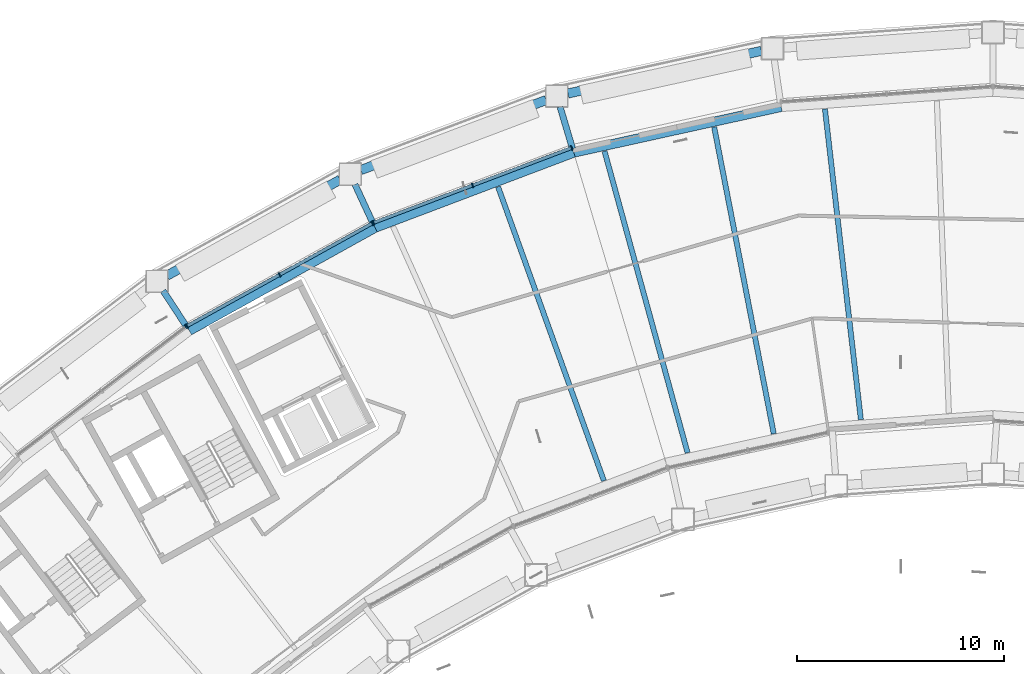
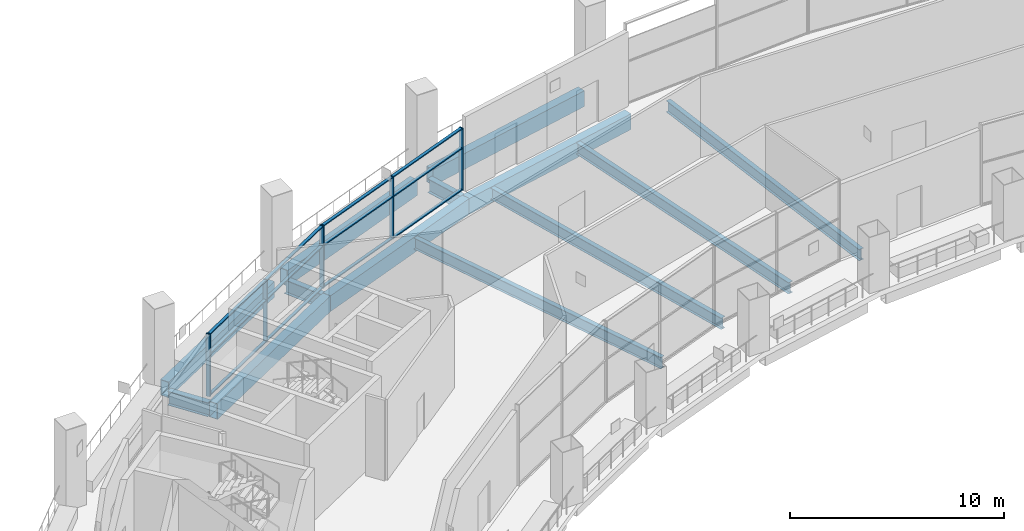
# One storey, part 5 of 28: 19 members, 13 beams, 3 elements without a shape of their own.
"""IFC4 building model written with IfcOpenShell, lengths in metres."""

from ifc_helpers import new_model, si_unit, direction, frame, origin, origin_2d, place, context, subcontext, project, spatial, rectangle, hollow_rectangle, i_section, extrude, material, layer, layer_set, material_profile, profile_set, type_object, element, aggregate, save


model = new_model("IFC4")

# Units and contexts
model_context = context("Model", 3, precision=1e-05, world=origin(), true_north=direction((0.0, 1.0)))
body_context = subcontext(model_context, "Body", "Model", "MODEL_VIEW")
ifc_project = project(units=[si_unit("LENGTHUNIT", "METRE"), si_unit("AREAUNIT", "SQUARE_METRE"), si_unit("VOLUMEUNIT", "CUBIC_METRE"), si_unit("PLANEANGLEUNIT", "RADIAN"), si_unit("MASSUNIT", "GRAM", prefix="KILO")], contexts=[model_context])

# Site, building, storey
site_placement = place(None, origin())
site = spatial("IfcSite", under=ifc_project, at=site_placement, CompositionType="ELEMENT")
building_placement = place(site_placement, origin())
building = spatial("IfcBuilding", under=site, at=building_placement, Name="Tuul Gate Civic Tower", CompositionType="ELEMENT")
storey_placement = place(building_placement, frame((0.0, 0.0, 128.699951171875)))
storey = spatial("IfcBuildingStorey", under=building, at=storey_placement, Name="Sky garden level 1", CompositionType="ELEMENT", Elevation=128.699951171875)

# Curtain wall, members
ifc_material_1 = material(Name="Aluminium", Category="aluminium")
ifc_layer = layer(ifc_material_1, 0.199951171875)
ifc_layer_set = layer_set([ifc_layer], Name="Aluminium")
curtain_wall_type = type_object("IfcCurtainWallType", Name="Curtain wall CW3A", PredefinedType="NOTDEFINED", material=ifc_layer_set)
curtain_wall_1_placement = place(storey_placement, origin())
curtain_wall_1 = element("IfcCurtainWall", 1, at=curtain_wall_1_placement, inside=storey, type_object=curtain_wall_type, Name="Curtain wall CW3A", PredefinedType="NOTDEFINED")
ifc_material_2 = material(Name="Aluminium", Category="aluminium")
ifc_material_profile_1 = material_profile(ifc_material_2, rectangle(XDim=0.219970703125, YDim=0.06005859375, at=origin_2d()), Name="CW3A mullion")
ifc_profile_set_1 = profile_set([ifc_material_profile_1], Name="Aluminium")
member_type_1 = type_object("IfcMemberType", Name="CW3A mullion", PredefinedType="MULLION", material=ifc_profile_set_1)
member_1_placement = place(storey_placement, frame((-10.531982421875, 8.107421875, 0.0), z_axis=(0.0, 0.0, 1.0), x_axis=(0.353664862395, -0.935372206722, 0.0)))
member_1 = element("IfcMember", 2, at=member_1_placement, type_object=member_type_1, Name="Mullion", PredefinedType="MULLION", context=body_context, shape_type="SweptSolid", body=[
    extrude(rectangle(XDim=0.219970703125, YDim=0.06005859375, at=origin_2d()), origin(), (0.0, 0.0, 1.0), 3.545166015625),
])
member_2_placement = place(storey_placement, frame((-15.321533203125, 6.29638671875, 0.0), z_axis=(0.0, 0.0, 1.0), x_axis=(0.353664862395, -0.935372206722, 0.0)))
member_2 = element("IfcMember", 3, at=member_2_placement, type_object=member_type_1, Name="Mullion", PredefinedType="MULLION", context=body_context, shape_type="SweptSolid", body=[
    extrude(rectangle(XDim=0.219970703125, YDim=0.06005859375, at=origin_2d()), origin(), (0.0, 0.0, 1.0), 3.545166015625),
])
member_3_placement = place(storey_placement, frame((-20.11083984375, 4.485595703125, 0.0), z_axis=(0.0, 0.0, 1.0), x_axis=(0.353664862395, -0.935372206722, 0.0)))
member_3 = element("IfcMember", 4, at=member_3_placement, type_object=member_type_1, Name="Mullion", PredefinedType="MULLION", context=body_context, shape_type="SweptSolid", body=[
    extrude(rectangle(XDim=0.219970703125, YDim=0.06005859375, at=origin_2d()), origin(), (0.0, 0.0, 1.0), 3.545166015625),
])

curtain_wall_2_placement = place(storey_placement, origin())
curtain_wall_2 = element("IfcCurtainWall", 5, at=curtain_wall_2_placement, inside=storey, type_object=curtain_wall_type, Name="Curtain wall CW3A", PredefinedType="NOTDEFINED")
member_4_placement = place(storey_placement, frame((-20.165283203125, 4.46044921875, 0.0), z_axis=(0.0, 0.0, 1.0), x_axis=(0.484826682646, -0.874610249079, 0.0)))
member_4 = element("IfcMember", 6, at=member_4_placement, type_object=member_type_1, Name="Mullion", PredefinedType="MULLION", context=body_context, shape_type="SweptSolid", body=[
    extrude(rectangle(XDim=0.219970703125, YDim=0.06005859375, at=origin_2d()), origin(), (0.0, 0.0, 1.0), 3.545166015625),
])
member_5_placement = place(storey_placement, frame((-24.6435546875, 1.97802734375, 0.0), z_axis=(0.0, 0.0, 1.0), x_axis=(0.484826682646, -0.874610249079, 0.0)))
member_5 = element("IfcMember", 7, at=member_5_placement, type_object=member_type_1, Name="Mullion", PredefinedType="MULLION", context=body_context, shape_type="SweptSolid", body=[
    extrude(rectangle(XDim=0.219970703125, YDim=0.06005859375, at=origin_2d()), origin(), (0.0, 0.0, 1.0), 3.545166015625),
])
member_6_placement = place(storey_placement, frame((-29.121826171875, -0.50439453125, 0.0), z_axis=(0.0, 0.0, 1.0), x_axis=(0.484826682646, -0.874610249079, 0.0)))
member_6 = element("IfcMember", 8, at=member_6_placement, type_object=member_type_1, Name="Mullion", PredefinedType="MULLION", context=body_context, shape_type="SweptSolid", body=[
    extrude(rectangle(XDim=0.219970703125, YDim=0.06005859375, at=origin_2d()), origin(), (0.0, 0.0, 1.0), 3.545166015625),
])

# Curtain wall, member
curtain_wall_3_placement = place(storey_placement, origin())
curtain_wall_3 = element("IfcCurtainWall", 9, at=curtain_wall_3_placement, inside=storey, type_object=curtain_wall_type, Name="Curtain wall CW3A", PredefinedType="NOTDEFINED")
member_7_placement = place(storey_placement, frame((-29.171875, -0.537109375, 0.0), z_axis=(0.0, 0.0, 1.0), x_axis=(0.60576239149, -0.795645602675, 0.0)))
member_7 = element("IfcMember", 10, at=member_7_placement, type_object=member_type_1, Name="Mullion", PredefinedType="MULLION", context=body_context, shape_type="SweptSolid", body=[
    extrude(rectangle(XDim=0.219970703125, YDim=0.06005859375, at=origin_2d()), origin(), (0.0, 0.0, 1.0), 3.545166015625),
])
aggregate(curtain_wall_3, [member_7])

# Member
ifc_material_3 = material(Name="Aluminium", Category="aluminium")
ifc_material_profile_2 = material_profile(ifc_material_3, rectangle(XDim=0.159912109375, YDim=0.06005859375, at=origin_2d()), Name="CW3A transom")
ifc_profile_set_2 = profile_set([ifc_material_profile_2], Name="Aluminium")
member_type_2 = type_object("IfcMemberType", Name="CW3A transom", PredefinedType="USERDEFINED", material=ifc_profile_set_2)
member_8_placement = place(storey_placement, frame((-10.56005859375, 8.0966796875, 0.030029296875), z_axis=(-0.935382035791, -0.353638865398, 0.0), x_axis=(0.353638865398, -0.935382035791, 0.0)))
member_8 = element("IfcMember", 11, at=member_8_placement, type_object=member_type_2, Name="Transom", ObjectType="TRANSOM", PredefinedType="USERDEFINED", context=body_context, shape_type="SweptSolid", body=[
    extrude(rectangle(XDim=0.159912109375, YDim=0.06005859375, at=origin_2d()), origin(), (0.0, 0.0, 1.0), 5.060302734375),
])

member_9_placement = place(storey_placement, frame((-10.56005859375, 8.0966796875, 2.400146484375), z_axis=(-0.935382035791, -0.353638865398, 0.0), x_axis=(0.353638865398, -0.935382035791, 0.0)))
member_9 = element("IfcMember", 12, at=member_9_placement, type_object=member_type_2, Name="Transom", ObjectType="TRANSOM", PredefinedType="USERDEFINED", context=body_context, shape_type="SweptSolid", body=[
    extrude(rectangle(XDim=0.159912109375, YDim=0.06005859375, at=origin_2d()), origin(), (0.0, 0.0, 1.0), 5.060302734375),
])

member_10_placement = place(storey_placement, frame((-10.56005859375, 8.0966796875, 3.51513671875), z_axis=(-0.935382035791, -0.353638865398, 0.0), x_axis=(0.353638865398, -0.935382035791, 0.0)))
member_10 = element("IfcMember", 13, at=member_10_placement, type_object=member_type_2, Name="Transom", ObjectType="TRANSOM", PredefinedType="USERDEFINED", context=body_context, shape_type="SweptSolid", body=[
    extrude(rectangle(XDim=0.159912109375, YDim=0.06005859375, at=origin_2d()), origin(), (0.0, 0.0, 1.0), 5.060302734375),
])

member_11_placement = place(storey_placement, frame((-15.349609375, 6.285888671875, 0.030029296875), z_axis=(-0.935376001789, -0.353654825043, 0.0), x_axis=(0.353654825043, -0.935376001789, 0.0)))
member_11 = element("IfcMember", 14, at=member_11_placement, type_object=member_type_2, Name="Transom", ObjectType="TRANSOM", PredefinedType="USERDEFINED", context=body_context, shape_type="SweptSolid", body=[
    extrude(rectangle(XDim=0.159912109375, YDim=0.06005859375, at=origin_2d()), origin(), (0.0, 0.0, 1.0), 5.06005859375),
])

member_12_placement = place(storey_placement, frame((-15.349609375, 6.285888671875, 2.400146484375), z_axis=(-0.935376001789, -0.353654825043, 0.0), x_axis=(0.353654825043, -0.935376001789, 0.0)))
member_12 = element("IfcMember", 15, at=member_12_placement, type_object=member_type_2, Name="Transom", ObjectType="TRANSOM", PredefinedType="USERDEFINED", context=body_context, shape_type="SweptSolid", body=[
    extrude(rectangle(XDim=0.159912109375, YDim=0.06005859375, at=origin_2d()), origin(), (0.0, 0.0, 1.0), 5.06005859375),
])

member_13_placement = place(storey_placement, frame((-15.349609375, 6.285888671875, 3.51513671875), z_axis=(-0.935376001789, -0.353654825043, 0.0), x_axis=(0.353654825043, -0.935376001789, 0.0)))
member_13 = element("IfcMember", 16, at=member_13_placement, type_object=member_type_2, Name="Transom", ObjectType="TRANSOM", PredefinedType="USERDEFINED", context=body_context, shape_type="SweptSolid", body=[
    extrude(rectangle(XDim=0.159912109375, YDim=0.06005859375, at=origin_2d()), origin(), (0.0, 0.0, 1.0), 5.06005859375),
])

aggregate(curtain_wall_1, [member_1, member_2, member_3, member_8, member_9, member_10, member_11, member_12, member_13])

member_14_placement = place(storey_placement, frame((-20.19140625, 4.44580078125, 0.030029296875), z_axis=(-0.874609774473, -0.484827538817, 0.0), x_axis=(0.484827538817, -0.874609774473, 0.0)))
member_14 = element("IfcMember", 17, at=member_14_placement, type_object=member_type_2, Name="Transom", ObjectType="TRANSOM", PredefinedType="USERDEFINED", context=body_context, shape_type="SweptSolid", body=[
    extrude(rectangle(XDim=0.159912109375, YDim=0.06005859375, at=origin_2d()), origin(), (0.0, 0.0, 1.0), 5.060302734375),
])

member_15_placement = place(storey_placement, frame((-20.19140625, 4.44580078125, 2.400146484375), z_axis=(-0.874609774473, -0.484827538817, 0.0), x_axis=(0.484827538817, -0.874609774473, 0.0)))
member_15 = element("IfcMember", 18, at=member_15_placement, type_object=member_type_2, Name="Transom", ObjectType="TRANSOM", PredefinedType="USERDEFINED", context=body_context, shape_type="SweptSolid", body=[
    extrude(rectangle(XDim=0.159912109375, YDim=0.06005859375, at=origin_2d()), origin(), (0.0, 0.0, 1.0), 5.060302734375),
])

member_16_placement = place(storey_placement, frame((-20.19140625, 4.44580078125, 3.51513671875), z_axis=(-0.874609774473, -0.484827538817, 0.0), x_axis=(0.484827538817, -0.874609774473, 0.0)))
member_16 = element("IfcMember", 19, at=member_16_placement, type_object=member_type_2, Name="Transom", ObjectType="TRANSOM", PredefinedType="USERDEFINED", context=body_context, shape_type="SweptSolid", body=[
    extrude(rectangle(XDim=0.159912109375, YDim=0.06005859375, at=origin_2d()), origin(), (0.0, 0.0, 1.0), 5.060302734375),
])

member_17_placement = place(storey_placement, frame((-24.669677734375, 1.96337890625, 0.030029296875), z_axis=(-0.874609774473, -0.484827538817, 0.0), x_axis=(0.484827538817, -0.874609774473, 0.0)))
member_17 = element("IfcMember", 20, at=member_17_placement, type_object=member_type_2, Name="Transom", ObjectType="TRANSOM", PredefinedType="USERDEFINED", context=body_context, shape_type="SweptSolid", body=[
    extrude(rectangle(XDim=0.159912109375, YDim=0.06005859375, at=origin_2d()), origin(), (0.0, 0.0, 1.0), 5.060302734375),
])

member_18_placement = place(storey_placement, frame((-24.669677734375, 1.96337890625, 2.400146484375), z_axis=(-0.874609774473, -0.484827538817, 0.0), x_axis=(0.484827538817, -0.874609774473, 0.0)))
member_18 = element("IfcMember", 21, at=member_18_placement, type_object=member_type_2, Name="Transom", ObjectType="TRANSOM", PredefinedType="USERDEFINED", context=body_context, shape_type="SweptSolid", body=[
    extrude(rectangle(XDim=0.159912109375, YDim=0.06005859375, at=origin_2d()), origin(), (0.0, 0.0, 1.0), 5.060302734375),
])

member_19_placement = place(storey_placement, frame((-24.669677734375, 1.96337890625, 3.51513671875), z_axis=(-0.874609774473, -0.484827538817, 0.0), x_axis=(0.484827538817, -0.874609774473, 0.0)))
member_19 = element("IfcMember", 22, at=member_19_placement, type_object=member_type_2, Name="Transom", ObjectType="TRANSOM", PredefinedType="USERDEFINED", context=body_context, shape_type="SweptSolid", body=[
    extrude(rectangle(XDim=0.159912109375, YDim=0.06005859375, at=origin_2d()), origin(), (0.0, 0.0, 1.0), 5.060302734375),
])

aggregate(curtain_wall_2, [member_4, member_5, member_6, member_14, member_15, member_16, member_17, member_18, member_19])

# Beams
ifc_material_4 = material(Name="Steel S355", Category="steel")
ifc_material_profile_3 = material_profile(ifc_material_4, i_section(OverallWidth=0.25, OverallDepth=0.64990234375, WebThickness=0.011962890625, FlangeThickness=0.02001953125, at=origin_2d()), Name="PG650x250x12x20")
ifc_profile_set_3 = profile_set([ifc_material_profile_3], Name="Steel S355")
beam_type_1 = type_object("IfcBeamType", Name="STR-FLOOR BEAM-PG650x250x12x20", PredefinedType="BEAM", material=ifc_profile_set_3)
beam_1_placement = place(storey_placement, frame((3.44384765625, -5.023681640625, -0.625), z_axis=(-0.114933735082, 0.993373160771, 0.0), x_axis=(-0.993373160771, -0.114933735082, 0.0)))
element("IfcBeam", 23, at=beam_1_placement, inside=storey, type_object=beam_type_1, Name="Floor beam", PredefinedType="BEAM", context=body_context, shape_type="SweptSolid", body=[
    extrude(i_section(OverallWidth=0.25, OverallDepth=0.64990234375, WebThickness=0.011962890625, FlangeThickness=0.02001953125, at=origin_2d()), origin(), (0.0, 0.0, 1.0), 15.113525390625),
])
beam_2_placement = place(storey_placement, frame((-0.7646484375, -5.709228515625, -0.625), z_axis=(-0.190807361042, 0.981627501129, 0.0), x_axis=(-0.981627501129, -0.190807361042, 0.0)))
element("IfcBeam", 24, at=beam_2_placement, inside=storey, type_object=beam_type_1, Name="Floor beam", PredefinedType="BEAM", context=body_context, shape_type="SweptSolid", body=[
    extrude(i_section(OverallWidth=0.25, OverallDepth=0.64990234375, WebThickness=0.011962890625, FlangeThickness=0.02001953125, at=origin_2d()), origin(), (0.0, 0.0, 1.0), 15.104736328125),
])
beam_3_placement = place(storey_placement, frame((-4.929931640625, -6.626953125, -0.625), z_axis=(-0.265547132262, 0.964097879132, 0.0), x_axis=(-0.964097879132, -0.265547132262, 0.0)))
element("IfcBeam", 25, at=beam_3_placement, inside=storey, type_object=beam_type_1, Name="Floor beam", PredefinedType="BEAM", context=body_context, shape_type="SweptSolid", body=[
    extrude(i_section(OverallWidth=0.25, OverallDepth=0.64990234375, WebThickness=0.011962890625, FlangeThickness=0.02001953125, at=origin_2d()), origin(), (0.0, 0.0, 1.0), 15.120361328125),
])
beam_4_placement = place(storey_placement, frame((-8.974365234375, -7.980712890625, -0.625), z_axis=(-0.338710308605, 0.940890709299, 0.0), x_axis=(-0.940890709299, -0.338710308605, 0.0)))
element("IfcBeam", 26, at=beam_4_placement, inside=storey, type_object=beam_type_1, Name="Floor beam", PredefinedType="BEAM", context=body_context, shape_type="SweptSolid", body=[
    extrude(i_section(OverallWidth=0.25, OverallDepth=0.64990234375, WebThickness=0.011962890625, FlangeThickness=0.02001953125, at=origin_2d()), origin(), (0.0, 0.0, 1.0), 15.101318359375),
])
ifc_material_5 = material(Name="Steel S355", Category="steel")
ifc_material_profile_4 = material_profile(ifc_material_5, i_section(OverallWidth=0.300048828125, OverallDepth=0.800048828125, WebThickness=0.013916015625, FlangeThickness=0.02490234375, at=origin_2d()), Name="PG800x300x14x25")
ifc_profile_set_4 = profile_set([ifc_material_profile_4], Name="Steel S355")
beam_type_2 = type_object("IfcBeamType", Name="STR-FLOOR BEAM-PG800x300x14x25", PredefinedType="BEAM", material=ifc_profile_set_4)
beam_5_placement = place(storey_placement, frame((-11.091064453125, 10.08984375, -0.699951171875), z_axis=(0.285370164464, -0.958417377364, 0.0), x_axis=(0.958417377364, 0.285370164464, 0.0)))
element("IfcBeam", 27, at=beam_5_placement, inside=storey, type_object=beam_type_2, Name="Terrace beam", PredefinedType="BEAM", context=body_context, shape_type="SweptSolid", body=[
    extrude(i_section(OverallWidth=0.300048828125, OverallDepth=0.800048828125, WebThickness=0.013916015625, FlangeThickness=0.02490234375, at=origin_2d()), origin(), (0.0, 0.0, 1.0), 2.107177734375),
])
beam_6_placement = place(storey_placement, frame((-21.003662109375, 6.341064453125, -0.699951171875), z_axis=(0.420423805077, -0.907327848203, 0.0), x_axis=(0.907327848203, 0.420423805077, 0.0)))
element("IfcBeam", 28, at=beam_6_placement, inside=storey, type_object=beam_type_2, Name="Terrace beam", PredefinedType="BEAM", context=body_context, shape_type="SweptSolid", body=[
    extrude(i_section(OverallWidth=0.300048828125, OverallDepth=0.800048828125, WebThickness=0.013916015625, FlangeThickness=0.02490234375, at=origin_2d()), origin(), (0.0, 0.0, 1.0), 2.10791015625),
])
beam_7_placement = place(storey_placement, frame((-30.2734375, 1.203369140625, -0.699951171875), z_axis=(0.546762384414, -0.837287820878, 0.0), x_axis=(0.837287820878, 0.546762384414, 0.0)))
element("IfcBeam", 29, at=beam_7_placement, inside=storey, type_object=beam_type_2, Name="Terrace beam", PredefinedType="BEAM", context=body_context, shape_type="SweptSolid", body=[
    extrude(i_section(OverallWidth=0.300048828125, OverallDepth=0.800048828125, WebThickness=0.013916015625, FlangeThickness=0.02490234375, at=origin_2d()), origin(), (0.0, 0.0, 1.0), 2.107666015625),
])
ifc_material_6 = material(Name="Steel S355", Category="steel")
ifc_material_profile_5 = material_profile(ifc_material_6, hollow_rectangle(XDim=0.449951171875, YDim=0.89990234375, WallThickness=0.02490234375, at=origin_2d()), Name="BOX900x450x25")
ifc_profile_set_5 = profile_set([ifc_material_profile_5], Name="Steel S355")
beam_type_3 = type_object("IfcBeamType", Name="STR-SPANDREL BEAM-BOX900x450x25", PredefinedType="BEAM", material=ifc_profile_set_5)
beam_8_placement = place(storey_placement, frame((-29.01171875, -0.728759765625, -0.75), z_axis=(0.874657173985, 0.484742022107, 0.0), x_axis=(-0.484742022107, 0.874657173985, 0.0)))
element("IfcBeam", 30, at=beam_8_placement, inside=storey, type_object=beam_type_3, Name="Spandrel beam", PredefinedType="BEAM", context=body_context, shape_type="SweptSolid", body=[
    extrude(hollow_rectangle(XDim=0.449951171875, YDim=0.89990234375, WallThickness=0.02490234375, at=origin_2d()), origin(), (0.0, 0.0, 1.0), 10.264892578125),
])
beam_9_placement = place(storey_placement, frame((-20.033447265625, 4.2470703125, -0.75), z_axis=(0.935323486722, 0.353793690146, 0.0), x_axis=(-0.353793690146, 0.935323486722, 0.0)))
element("IfcBeam", 31, at=beam_9_placement, inside=storey, type_object=beam_type_3, Name="Spandrel beam", PredefinedType="BEAM", context=body_context, shape_type="SweptSolid", body=[
    extrude(hollow_rectangle(XDim=0.449951171875, YDim=0.89990234375, WallThickness=0.02490234375, at=origin_2d()), origin(), (0.0, 0.0, 1.0), 10.2646484375),
])
beam_10_placement = place(storey_placement, frame((-10.4326171875, 7.878662109375, -0.75), z_axis=(0.9765761346, 0.215172148129, 0.0), x_axis=(-0.215172148129, 0.9765761346, 0.0)))
element("IfcBeam", 32, at=beam_10_placement, inside=storey, type_object=beam_type_3, Name="Spandrel beam", PredefinedType="BEAM", context=body_context, shape_type="SweptSolid", body=[
    extrude(hollow_rectangle(XDim=0.449951171875, YDim=0.89990234375, WallThickness=0.02490234375, at=origin_2d()), origin(), (0.0, 0.0, 1.0), 10.263916015625),
])
for number, where, z_axis, x_axis, name in (
    (33, (-1.358154296875, 12.796630859375, -0.75), (-0.976564052188, -0.215226977802, 0.0), (0.215226977802, -0.976564052188, 0.0), "Terrace edge beam"),
    (34, (-11.762451171875, 10.42236328125, -0.75), (-0.935349182436, -0.353725750994, 0.0), (0.353725750994, -0.935349182436, 0.0), "Terrace edge beam"),
):
    element("IfcBeam", number, at=place(storey_placement, frame(where, z_axis=z_axis, x_axis=x_axis)), inside=storey, type_object=beam_type_3, Name=name, PredefinedType="BEAM", context=body_context, shape_type="SweptSolid", body=[
        extrude(hollow_rectangle(XDim=0.449951171875, YDim=0.89990234375, WallThickness=0.02490234375, at=origin_2d()), origin(), (0.0, 0.0, 1.0), 9.5771484375),
    ])
beam_11_placement = place(storey_placement, frame((-21.716064453125, 6.573486328125, -0.75), z_axis=(-0.874646210848, -0.484761803208, 0.0), x_axis=(0.484761803208, -0.874646210848, 0.0)))
element("IfcBeam", 35, at=beam_11_placement, inside=storey, type_object=beam_type_3, Name="Terrace edge beam", PredefinedType="BEAM", context=body_context, shape_type="SweptSolid", body=[
    extrude(hollow_rectangle(XDim=0.449951171875, YDim=0.89990234375, WallThickness=0.02490234375, at=origin_2d()), origin(), (0.0, 0.0, 1.0), 9.57763671875),
])

save(model, "model.ifc")
